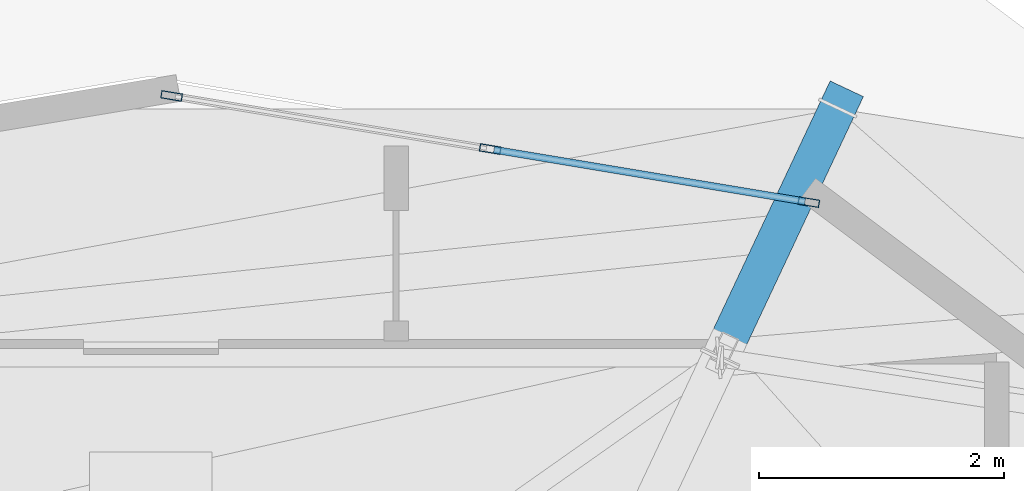
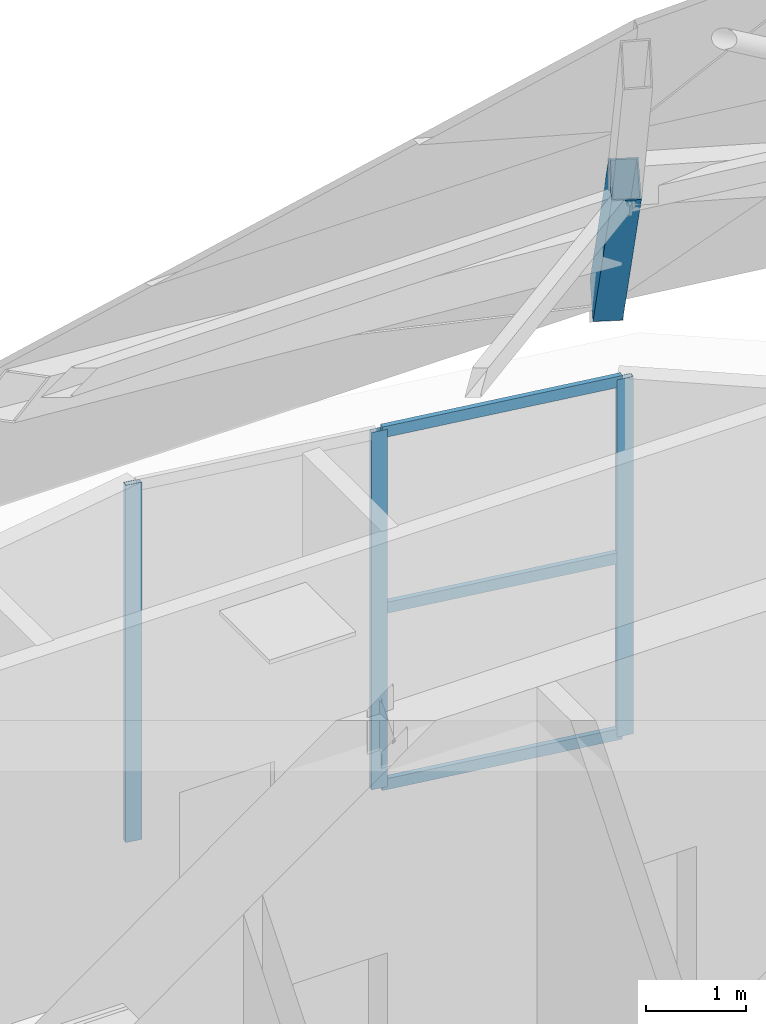
# One storey, part 15 of 30: 7 members, 1 element without a shape of its own.
"""IFC4 building model written with IfcOpenShell, lengths in metres."""

from ifc_helpers import new_model, si_unit, direction, frame, origin, origin_2d, place, context, subcontext, project, spatial, hollow_rectangle, extrude, material, layer, layer_set, material_profile, profile_set, type_object, element, aggregate, save


model = new_model("IFC4")

# Units and contexts
model_context = context("Model", 3, precision=1e-05, world=origin(), true_north=direction((0.0, 1.0)))
body_context = subcontext(model_context, "Body", "Model", "MODEL_VIEW")
ifc_project = project(units=[si_unit("LENGTHUNIT", "METRE"), si_unit("AREAUNIT", "SQUARE_METRE"), si_unit("VOLUMEUNIT", "CUBIC_METRE"), si_unit("PLANEANGLEUNIT", "RADIAN"), si_unit("MASSUNIT", "GRAM", prefix="KILO")], contexts=[model_context])

# Site, building, storey
site_placement = place(None, origin())
site = spatial("IfcSite", under=ifc_project, at=site_placement, CompositionType="ELEMENT")
building_placement = place(site_placement, origin())
building = spatial("IfcBuilding", under=site, at=building_placement, Name="Haolan Belvedere Tower", CompositionType="ELEMENT")
storey_placement = place(building_placement, frame((0.0, 0.0, 333.0)))
storey = spatial("IfcBuildingStorey", under=building, at=storey_placement, Name="L83", CompositionType="ELEMENT", Elevation=333.0)

# Curtain wall, members
ifc_material_1 = material(Name="Anodised champagne-silver aluminium 6063-T6 and Low-E glass", Category="aluminium")
ifc_layer = layer(ifc_material_1, 0.172119140625, Name="Anodised champagne-silver aluminium 6063-T6 and Low-E glass")
ifc_layer_set = layer_set([ifc_layer], Name="Anodised champagne-silver aluminium 6063-T6 and Low-E glass")
curtain_wall_type = type_object("IfcCurtainWallType", Name="CW-SYS-07", PredefinedType="NOTDEFINED", material=ifc_layer_set)
curtain_wall_placement = place(storey_placement, origin())
curtain_wall = element("IfcCurtainWall", 1, at=curtain_wall_placement, inside=storey, type_object=curtain_wall_type, Name="L83 CW-SYS-07 ribbon curtain wall 10.1", PredefinedType="NOTDEFINED")
ifc_material_2 = material(Name="Anodised aluminium 6063-T6", Category="aluminium")
ifc_material_profile_1 = material_profile(ifc_material_2, hollow_rectangle(XDim=0.06201171875, YDim=0.172119140625, WallThickness=0.00390625, at=origin_2d()), Name="Anodised aluminium 6063-T6")
ifc_profile_set_1 = profile_set([ifc_material_profile_1], Name="Anodised aluminium 6063-T6")
member_type_1 = type_object("IfcMemberType", Name="CW-SYS-07-MUL", PredefinedType="MULLION", material=ifc_profile_set_1)
member_1_placement = place(storey_placement, frame((43.76708984375, 47.73876953125, 0.0), z_axis=(0.0, 0.0, 1.0), x_axis=(-0.164398987305, -0.986393923832, 0.0)))
member_1 = element("IfcMember", 2, at=member_1_placement, type_object=member_type_1, Name="CW-07 mullion 1", PredefinedType="MULLION", context=body_context, shape_type="SweptSolid", body=[
    extrude(hollow_rectangle(XDim=0.06201171875, YDim=0.172119140625, WallThickness=0.00390625, at=origin_2d()), origin(), (0.0, 0.0, 1.0), 4.3798828125),
])
member_2_placement = place(storey_placement, frame((41.16796875, 48.172119140625, 0.0), z_axis=(0.0, 0.0, 1.0), x_axis=(-0.164398987305, -0.986393923832, 0.0)))
member_2 = element("IfcMember", 3, at=member_2_placement, type_object=member_type_1, Name="CW-07 mullion 2", PredefinedType="MULLION", context=body_context, shape_type="SweptSolid", body=[
    extrude(hollow_rectangle(XDim=0.06201171875, YDim=0.172119140625, WallThickness=0.00390625, at=origin_2d()), origin(), (0.0, 0.0, 1.0), 4.3798828125),
])
member_3_placement = place(storey_placement, frame((38.568603515625, 48.605224609375, 0.0), z_axis=(0.0, 0.0, 1.0), x_axis=(-0.164398987305, -0.986393923832, 0.0)))
member_3 = element("IfcMember", 4, at=member_3_placement, type_object=member_type_1, Name="CW-07 mullion 3", PredefinedType="MULLION", context=body_context, shape_type="SweptSolid", body=[
    extrude(hollow_rectangle(XDim=0.06201171875, YDim=0.172119140625, WallThickness=0.00390625, at=origin_2d()), origin(), (0.0, 0.0, 1.0), 4.3798828125),
])
ifc_material_profile_2 = material_profile(ifc_material_2, hollow_rectangle(XDim=0.05810546875, YDim=0.135009765625, WallThickness=0.00390625, at=origin_2d()), Name="Anodised aluminium 6063-T6")
ifc_profile_set_2 = profile_set([ifc_material_profile_2], Name="Anodised aluminium 6063-T6")
member_type_2 = type_object("IfcMemberType", Name="CW-SYS-07-TRN", PredefinedType="USERDEFINED", material=ifc_profile_set_2)
member_4_placement = place(storey_placement, frame((43.736572265625, 47.743896484375, 0.029052734375), z_axis=(-0.986388794619, 0.164429759626, 0.0), x_axis=(-0.164429759626, -0.986388794619, 0.0)))
member_4 = element("IfcMember", 5, at=member_4_placement, type_object=member_type_2, Name="CW-07 transom 1.1", ObjectType="TRANSOM", PredefinedType="USERDEFINED", context=body_context, shape_type="SweptSolid", body=[
    extrude(hollow_rectangle(XDim=0.05810546875, YDim=0.135009765625, WallThickness=0.00390625, at=origin_2d()), origin(), (0.0, 0.0, 1.0), 2.572998046875),
])
member_5_placement = place(storey_placement, frame((43.736572265625, 47.743896484375, 2.18994140625), z_axis=(-0.986388794619, 0.164429759626, 0.0), x_axis=(-0.164429759626, -0.986388794619, 0.0)))
member_5 = element("IfcMember", 6, at=member_5_placement, type_object=member_type_2, Name="CW-07 transom 1.2", ObjectType="TRANSOM", PredefinedType="USERDEFINED", context=body_context, shape_type="SweptSolid", body=[
    extrude(hollow_rectangle(XDim=0.05810546875, YDim=0.135009765625, WallThickness=0.00390625, at=origin_2d()), origin(), (0.0, 0.0, 1.0), 2.572998046875),
])
member_6_placement = place(storey_placement, frame((43.736572265625, 47.743896484375, 4.35107421875), z_axis=(-0.986388794619, 0.164429759626, 0.0), x_axis=(-0.164429759626, -0.986388794619, 0.0)))
member_6 = element("IfcMember", 7, at=member_6_placement, type_object=member_type_2, Name="CW-07 transom 1.3", ObjectType="TRANSOM", PredefinedType="USERDEFINED", context=body_context, shape_type="SweptSolid", body=[
    extrude(hollow_rectangle(XDim=0.05810546875, YDim=0.135009765625, WallThickness=0.00390625, at=origin_2d()), origin(), (0.0, 0.0, 1.0), 2.572998046875),
])
aggregate(curtain_wall, [member_1, member_2, member_3, member_4, member_5, member_6])

# Member
ifc_material_3 = material(Name="Steel Q355B", Category="steel")
ifc_material_profile_3 = material_profile(ifc_material_3, hollow_rectangle(XDim=0.300048828125, YDim=0.449951171875, WallThickness=0.01611328125, at=origin_2d()), Name="Steel Q355B")
ifc_profile_set_3 = profile_set([ifc_material_profile_3], Name="Steel Q355B")
member_type_3 = type_object("IfcMemberType", Name="MEM-BOX450x300x16", PredefinedType="RAFTER", material=ifc_profile_set_3)
member_7_placement = place(storey_placement, frame((44.0, 48.5, 4.780029296875), z_axis=(-0.252668910293, -0.536969850746, 0.804873779646), x_axis=(0.904833493294, -0.425765603841, 0.0)))
element("IfcMember", 8, at=member_7_placement, inside=storey, type_object=member_type_3, Name="Crown frame sloped hip rafter T1-08", PredefinedType="RAFTER", context=body_context, shape_type="SweptSolid", body=[
    extrude(hollow_rectangle(XDim=0.300048828125, YDim=0.449951171875, WallThickness=0.01611328125, at=origin_2d()), origin(), (0.0, 0.0, 1.0), 3.781982421875),
])

save(model, "model.ifc")
